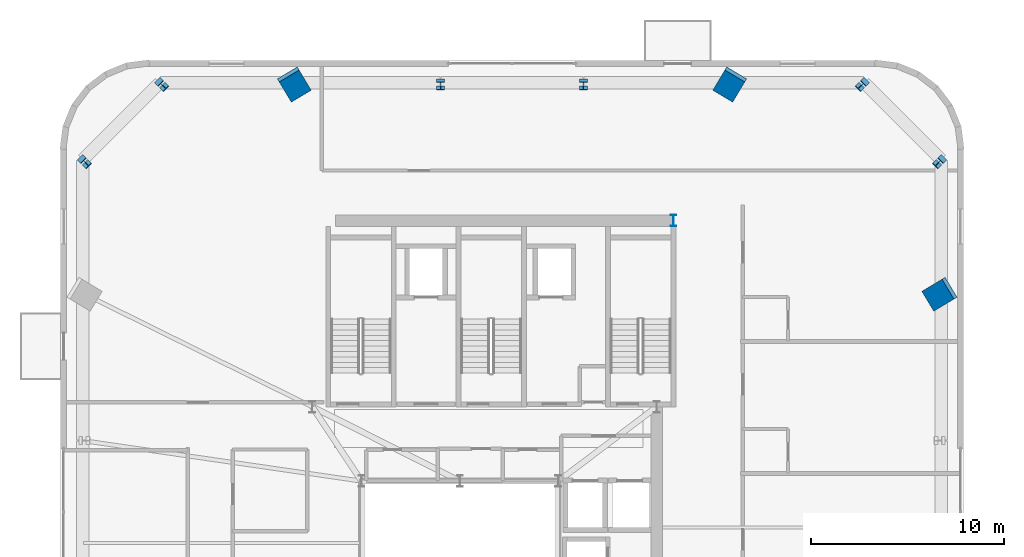
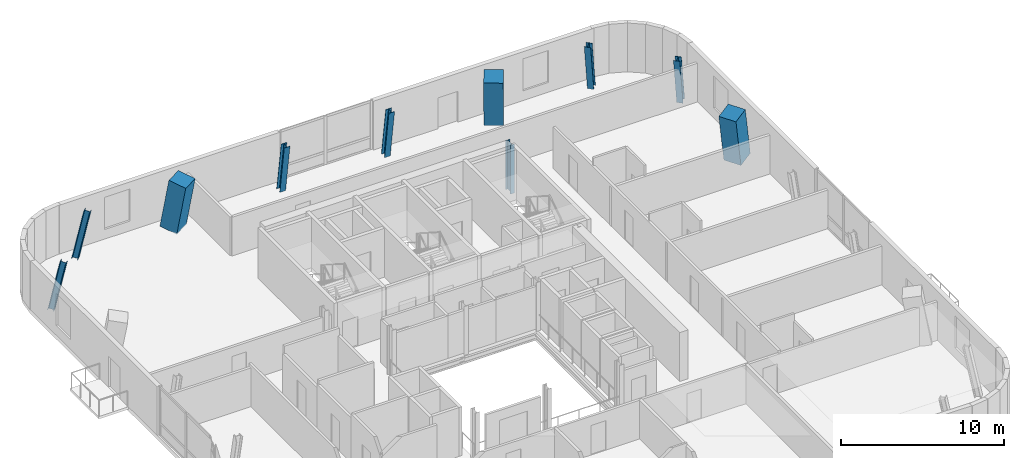
# One storey, part 2 of 12: 10 columns.
"""IFC4 building model written with IfcOpenShell, lengths in metres."""

from ifc_helpers import new_model, si_unit, direction, frame, origin, origin_2d, place, context, subcontext, project, spatial, rectangle, i_section, extrude, source, transform, mapped, material, material_profile, profile_set, type_object, element, save


model = new_model("IFC4")

# Units and contexts
model_context = context("Model", 3, precision=1e-05, world=origin(), true_north=direction((0.0, 1.0)))
body_context = subcontext(model_context, "Body", "Model", "MODEL_VIEW")
ifc_project = project(units=[si_unit("LENGTHUNIT", "METRE"), si_unit("AREAUNIT", "SQUARE_METRE"), si_unit("VOLUMEUNIT", "CUBIC_METRE"), si_unit("PLANEANGLEUNIT", "RADIAN"), si_unit("MASSUNIT", "GRAM", prefix="KILO")], contexts=[model_context])

# Site, building, storey
site_placement = place(None, origin())
site = spatial("IfcSite", under=ifc_project, at=site_placement, CompositionType="ELEMENT")
building_placement = place(site_placement, origin())
building = spatial("IfcBuilding", under=site, at=building_placement, Name="Vardaveli Station Tower", CompositionType="ELEMENT")
storey_placement = place(building_placement, frame((0.0, 0.0, 254.550048828125)))
storey = spatial("IfcBuildingStorey", under=building, at=storey_placement, Name="L65", CompositionType="ELEMENT", Elevation=254.550048828125)

# Columns
ifc_material_1 = material(Name="Structural steel S460M", Category="steel")
ifc_material_profile_1 = material_profile(ifc_material_1, i_section(OverallWidth=0.300048828125, OverallDepth=0.60009765625, WebThickness=0.015380859375, FlangeThickness=0.030029296875, FilletRadius=0.027099609375, at=origin_2d()), Name="HEB 600")
ifc_profile_set_1 = profile_set([ifc_material_profile_1], Name="Structural steel S460M")
column_type_1 = type_object("IfcColumnType", Name="COL-HEB600", PredefinedType="COLUMN", material=ifc_profile_set_1)
shared_shape_1 = source(origin(), body_context, "Body", "SweptSolid", [
    extrude(i_section(OverallWidth=0.300048828125, OverallDepth=0.60009765625, WebThickness=0.015380859375, FlangeThickness=0.030029296875, FilletRadius=0.027099609375, at=origin_2d()), origin(), (0.0, 0.0, 1.0), 3.64990234375),
])
column_placement = place(storey_placement, frame((47.3701171875, 40.300048828125, 0.0), z_axis=(0.0, 0.0, 1.0), x_axis=(1.0, 0.0, 0.0)))
element("IfcColumn", 1, at=column_placement, inside=storey, type_object=column_type_1, Name="COL-L65-CC3", PredefinedType="COLUMN", context=body_context, shape_type="MappedRepresentation", body=[
    mapped(shared_shape_1, transform((0.0, 0.0, 0.0), scale=1.0)),
])
ifc_material_2 = material(Name="Concrete C50/60", Category="concrete")
ifc_material_profile_2 = material_profile(ifc_material_2, rectangle(XDim=1.199951171875, YDim=1.199951171875, at=origin_2d()), Name="MC 1200x1200")
ifc_profile_set_2 = profile_set([ifc_material_profile_2], Name="Concrete C50/60")
column_type_2 = type_object("IfcColumnType", Name="COL-MC-1200", PredefinedType="COLUMN", material=ifc_profile_set_2)
shared_shape_2 = source(origin(), body_context, "Body", "SweptSolid", [
    extrude(rectangle(XDim=1.199951171875, YDim=1.199951171875, at=origin_2d()), origin(), (0.0, 0.0, 1.0), 3.703857421875),
])
for number, where, z_axis, x_axis, name in (
    (2, (61.25, 36.5400390625, 0.0), (-0.145805403858, -0.087470059186, 0.98543887327), (0.514438743924, -0.857527130037, 0.0), "COL-L65-MC4"),
    (3, (50.340087890625, 47.449951171875, 0.0), (-0.087470059186, -0.145805403858, 0.98543887327), (0.857527130037, -0.514438743924, 0.0), "COL-L65-MC5"),
    (4, (27.659912109375, 47.449951171875, 0.0), (0.087470059186, -0.145805403858, 0.98543887327), (0.857527130037, 0.514438743924, 0.0), "COL-L65-MC6"),
):
    element("IfcColumn", number, at=place(storey_placement, frame(where, z_axis=z_axis, x_axis=x_axis)), inside=storey, type_object=column_type_2, Name=name, PredefinedType="COLUMN", context=body_context, shape_type="MappedRepresentation", body=[
        mapped(shared_shape_2, transform((0.0, 0.0, 0.0), scale=1.0)),
    ])
ifc_material_profile_3 = material_profile(ifc_material_1, i_section(OverallWidth=0.405029296875, OverallDepth=0.403076171875, WebThickness=0.017822265625, FlangeThickness=0.02783203125, FilletRadius=0.014892578125, at=origin_2d()), Name="HD 400x287")
ifc_profile_set_3 = profile_set([ifc_material_profile_3], Name="Structural steel S460M")
column_type_3 = type_object("IfcColumnType", Name="COL-HD287", PredefinedType="COLUMN", material=ifc_profile_set_3)
shared_shape_3 = source(origin(), body_context, "Body", "SweptSolid", [
    extrude(i_section(OverallWidth=0.405029296875, OverallDepth=0.403076171875, WebThickness=0.017822265625, FlangeThickness=0.02783203125, FilletRadius=0.014892578125, at=origin_2d()), origin(), (0.0, 0.0, 1.0), 3.72900390625),
])
for number, where, z_axis, x_axis, name in (
    (5, (61.25, 43.449951171875, 0.0), (-0.144823340775, -0.144823340775, 0.97880151202), (0.707106781187, -0.707106781187, 0.0), "COL-L65-PC08"),
    (6, (57.25, 47.449951171875, 0.0), (-0.144823340775, -0.144823340775, 0.97880151202), (0.707106781187, -0.707106781187, 0.0), "COL-L65-PC09"),
    (7, (20.75, 47.449951171875, 0.0), (0.144823340775, -0.144823340775, 0.97880151202), (0.707106781187, 0.707106781187, 0.0), "COL-L65-PC12"),
    (8, (16.75, 43.449951171875, 0.0), (0.144823340775, -0.144823340775, 0.97880151202), (0.707106781187, 0.707106781187, 0.0), "COL-L65-PC13"),
):
    element("IfcColumn", number, at=place(storey_placement, frame(where, z_axis=z_axis, x_axis=x_axis)), inside=storey, type_object=column_type_3, Name=name, PredefinedType="COLUMN", context=body_context, shape_type="MappedRepresentation", body=[
        mapped(shared_shape_3, transform((0.0, 0.0, 0.0), scale=1.0)),
    ])
shared_shape_4 = source(origin(), body_context, "Body", "SweptSolid", [
    extrude(i_section(OverallWidth=0.405029296875, OverallDepth=0.403076171875, WebThickness=0.017822265625, FlangeThickness=0.02783203125, FilletRadius=0.014892578125, at=origin_2d()), origin(), (0.0, 0.0, 1.0), 3.689697265625),
])
for number, where, z_axis, x_axis, name in (
    (9, (42.699951171875, 47.449951171875, 0.0), (0.0, -0.146366404478, 0.989230446175), (1.0, 0.0, 0.0), "COL-L65-PC10"),
    (10, (35.300048828125, 47.449951171875, 0.0), (0.0, -0.146366404478, 0.989230446175), (1.0, 0.0, 0.0), "COL-L65-PC11"),
):
    element("IfcColumn", number, at=place(storey_placement, frame(where, z_axis=z_axis, x_axis=x_axis)), inside=storey, type_object=column_type_3, Name=name, PredefinedType="COLUMN", context=body_context, shape_type="MappedRepresentation", body=[
        mapped(shared_shape_4, transform((0.0, 0.0, 0.0), scale=1.0)),
    ])

save(model, "model.ifc")
